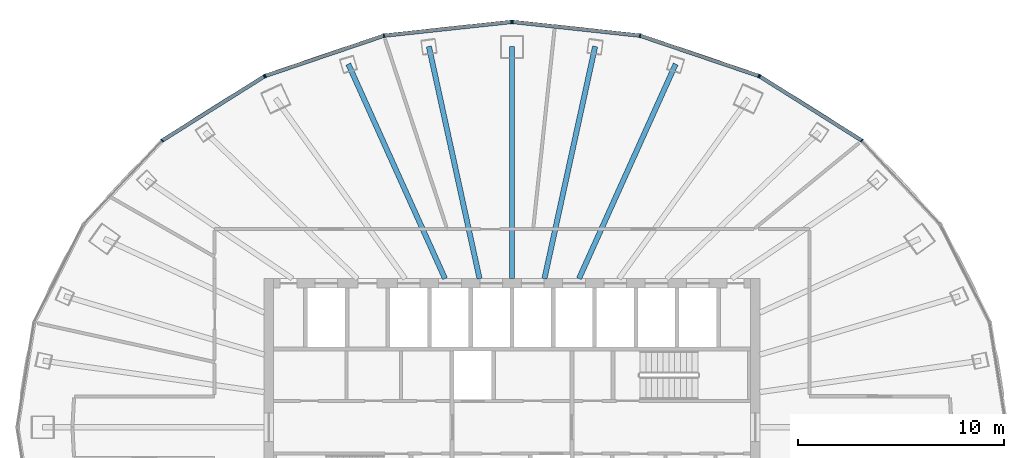
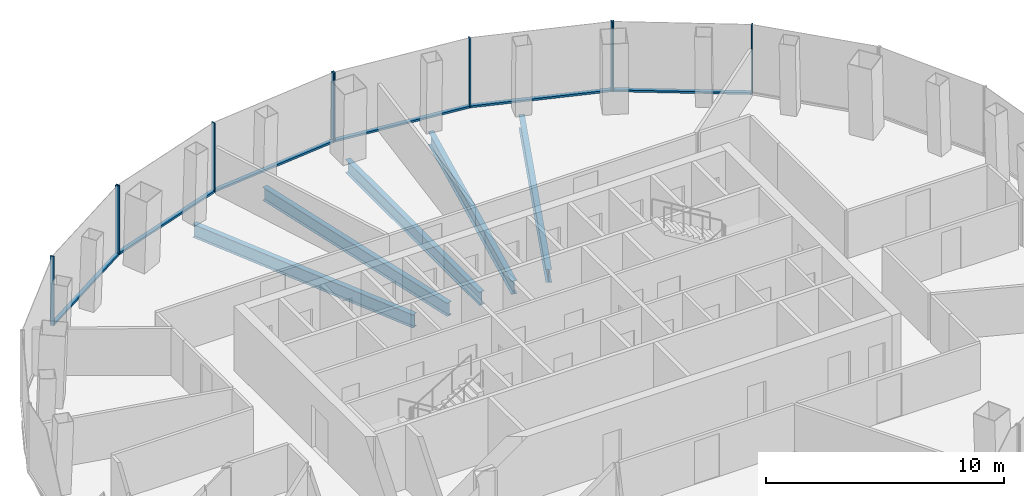
# One storey, part 5 of 10: 16 members, 5 beams, 4 elements without a shape of their own.
"""IFC4 building model written with IfcOpenShell, lengths in metres."""

import ifcopenshell
import ifcopenshell.guid

model = None  # the IFC model being written
_history = None  # IfcOwnerHistory: only IFC2X3 demands one
_inside = {}  # id of a spatial element -> (the spatial element, [elements in it])
_under = {}  # id of a project, library or spatial element -> (it, [spatial elements below it])
_declared = {}  # id of a project -> (the project, [libraries it declares])
_typed = {}  # id of a type object -> (the type object, [elements of that type])
_made_of = {}  # id of a material, layer set ... -> (it, [elements and type objects made of it])


def new_model(schema):
    """Start an empty IFC model of exactly this schema.

    Asked for "IFC4X3", IfcOpenShell would pick the latest addendum, in which some entities
    have other attributes; the version numbers below select the first issue.
    IFC2X3 requires an IfcOwnerHistory on every rooted entity: one is made here for all.
    """
    global model, _history
    if schema == "IFC4X3":
        model = ifcopenshell.file(schema_version=(4, 3, 0, 0))
    else:
        model = ifcopenshell.file(schema=schema)
    _inside.clear()
    _under.clear()
    _declared.clear()
    _typed.clear()
    _made_of.clear()
    _history = None
    if model.schema == "IFC2X3":
        org = make("IfcOrganization", Name="unknown")
        user = make(
            "IfcPersonAndOrganization",
            ThePerson=make("IfcPerson", FamilyName="unknown"),
            TheOrganization=org,
        )
        app = make(
            "IfcApplication",
            ApplicationDeveloper=org,
            Version="unknown",
            ApplicationFullName="unknown",
            ApplicationIdentifier="unknown",
        )
        _history = make(
            "IfcOwnerHistory",
            OwningUser=user,
            OwningApplication=app,
            ChangeAction="ADDED",
            CreationDate=0,
        )
    return model


def make(cls, **values):
    """One entity of the class cls with the attributes given. An attribute that is None is left unset."""
    return model.create_entity(
        cls, **{name: value for name, value in values.items() if value is not None}
    )


def rooted(cls, **values):
    """An entity with a GlobalId (a new one), such as an element, a storey or a relation."""
    return make(cls, GlobalId=ifcopenshell.guid.new(), OwnerHistory=_history, **values)


def si_unit(unit_type, name, prefix=None):
    """IfcSIUnit, for example si_unit("LENGTHUNIT", "METRE", prefix="MILLI")."""
    return make("IfcSIUnit", UnitType=unit_type, Prefix=prefix, Name=name)


def assignment(units):
    """IfcUnitAssignment: the units of a project."""
    return None if units is None else make("IfcUnitAssignment", Units=units)


def point(xyz):
    """IfcCartesianPoint."""
    return None if xyz is None else make("IfcCartesianPoint", Coordinates=xyz)


def direction(xyz):
    """IfcDirection."""
    return None if xyz is None else make("IfcDirection", DirectionRatios=xyz)


def frame(location, z_axis=None, x_axis=None):
    """IfcAxis2Placement3D, a coordinate frame: its origin and axes. An axis left out is left unset."""
    return make(
        "IfcAxis2Placement3D",
        Location=point(location),
        Axis=direction(z_axis),
        RefDirection=direction(x_axis),
    )


def frame_2d(location, x_axis=None):
    """IfcAxis2Placement2D, a coordinate frame in the plane: its origin and x axis."""
    return make(
        "IfcAxis2Placement2D", Location=point(location), RefDirection=direction(x_axis)
    )


def origin():
    """The frame at (0, 0, 0) with its axes left unset."""
    return frame((0.0, 0.0, 0.0))


def origin_2d():
    """The frame at (0, 0) in the plane with its x axis left unset."""
    return frame_2d((0.0, 0.0))


def place(relative_to, where):
    """IfcLocalPlacement: puts the frame where relative to a parent placement (None: the world)."""
    return make(
        "IfcLocalPlacement", PlacementRelTo=relative_to, RelativePlacement=where
    )


def context(
    kind, dimensions, precision=None, world=None, true_north=None, identifier=None
):
    """IfcGeometricRepresentationContext, for example the 3D "Model" context."""
    return make(
        "IfcGeometricRepresentationContext",
        ContextIdentifier=identifier,
        ContextType=kind,
        CoordinateSpaceDimension=dimensions,
        Precision=precision,
        WorldCoordinateSystem=world,
        TrueNorth=true_north,
    )


def subcontext(parent, identifier, kind, view, scale=None):
    """IfcGeometricRepresentationSubContext, for example "Body" below "Model"."""
    return make(
        "IfcGeometricRepresentationSubContext",
        ContextIdentifier=identifier,
        ContextType=kind,
        ParentContext=parent,
        TargetScale=scale,
        TargetView=view,
    )


def project(units=None, contexts=None):
    """IfcProject with its units and contexts."""
    return rooted(
        "IfcProject",
        Name="project",
        RepresentationContexts=contexts,
        UnitsInContext=assignment(units),
    )


def spatial(cls, under=None, at=None, **own):
    """A site, building, storey or space (cls), placed at a placement, below another one or the project."""
    s = rooted(cls, ObjectPlacement=at, **own)
    if under is not None:
        _under.setdefault(under.id(), (under, []))[1].append(s)
    return s


def profile(cls, at=None, kind="AREA", **sizes):
    """A parametric profile (cls). Its sizes go by their IFC names, for example OverallWidth=200.0."""
    return make(cls, ProfileType=kind, Position=at, **sizes)


def rectangle(**sizes):
    """IfcRectangleProfileDef."""
    return profile("IfcRectangleProfileDef", **sizes)


def i_section(**sizes):
    """IfcIShapeProfileDef."""
    return profile("IfcIShapeProfileDef", **sizes)


def extrude(swept, where, along, depth):
    """IfcExtrudedAreaSolid: the profile swept, set in the frame where, extruded along a direction by depth."""
    return make(
        "IfcExtrudedAreaSolid",
        SweptArea=swept,
        Position=where,
        ExtrudedDirection=direction(along),
        Depth=depth,
    )


def shape(context_of_items, identifier, shape_type, items):
    """IfcShapeRepresentation: the items that make up one representation, for example the "Body"."""
    return make(
        "IfcShapeRepresentation",
        ContextOfItems=context_of_items,
        RepresentationIdentifier=identifier,
        RepresentationType=shape_type,
        Items=items,
    )


def material(Name=None, Category=None):
    """IfcMaterial."""
    return make("IfcMaterial", Name=Name, Category=Category)


def layer(
    of_material, thickness, ventilated=None, Name=None, Category=None, Priority=None
):
    """IfcMaterialLayer: one layer of a wall or slab, of a material (None: an air gap)."""
    return make(
        "IfcMaterialLayer",
        Material=of_material,
        LayerThickness=thickness,
        IsVentilated=ventilated,
        Name=Name,
        Category=Category,
        Priority=Priority,
    )


def layer_set(layers, Name=None):
    """IfcMaterialLayerSet."""
    return make("IfcMaterialLayerSet", MaterialLayers=layers, LayerSetName=Name)


def material_profile(
    of_material, cross_section, Name=None, Category=None, Priority=None
):
    """IfcMaterialProfile: a cross section and its material."""
    return make(
        "IfcMaterialProfile",
        Name=Name,
        Material=of_material,
        Profile=cross_section,
        Priority=Priority,
        Category=Category,
    )


def profile_set(profiles, Name=None, composite=None):
    """IfcMaterialProfileSet."""
    return make(
        "IfcMaterialProfileSet",
        Name=Name,
        MaterialProfiles=profiles,
        CompositeProfile=composite,
    )


def made_of(thing, what):
    """Note that an element or type object is made of a material, layer set ...; save() writes the relation."""
    if what is not None:
        _made_of.setdefault(what.id(), (what, []))[1].append(thing)
    return thing


def type_object(cls, material=None, **own):
    """A type object (cls), such as IfcWallType, which elements share."""
    return made_of(rooted(cls, **own), material)


def element(
    cls,
    number,
    at=None,
    inside=None,
    cuts=None,
    type_object=None,
    material=None,
    context=None,
    identifier="Body",
    shape_type=None,
    held_by="IfcProductDefinitionShape",
    body=None,
    shapes=None,
    **own,
):
    """One element of the class cls, such as IfcWall. Its Tag is "e" and its number.

    at: its placement. inside: the storey or other place that contains it. cuts: it is an
    opening in that element (IfcRelVoidsElement). A single representation is given by context,
    identifier, shape_type and body (its items); several are given by shapes. held_by: the class
    of the entity that holds the representations. save() writes the other relations.
    """
    e = rooted(cls, Tag="e%d" % number, ObjectPlacement=at, **own)
    if body is not None:
        shapes = [shape(context, identifier, shape_type, body)]
    if shapes is not None:
        e.Representation = make(held_by, Representations=shapes)
    if inside is not None:
        _inside.setdefault(inside.id(), (inside, []))[1].append(e)
    if cuts is not None:
        rooted(
            "IfcRelVoidsElement", RelatingBuildingElement=cuts, RelatedOpeningElement=e
        )
    if type_object is not None:
        _typed.setdefault(type_object.id(), (type_object, []))[1].append(e)
    return made_of(e, material)


def aggregate(whole, parts):
    """IfcRelAggregates: a whole, such as a stair, and the parts it consists of."""
    return rooted("IfcRelAggregates", RelatingObject=whole, RelatedObjects=parts)


def save(model, path):
    """Write the relations noted so far, then the file.

    IfcRelAggregates (storeys below a building ...), IfcRelContainedInSpatialStructure (elements
    in a storey), IfcRelDefinesByType, IfcRelAssociatesMaterial and IfcRelDeclares: one each for
    every whole, place, type object, material and project.
    """
    for whole, parts in _under.values():
        aggregate(whole, parts)
    for where, things in _inside.values():
        rooted(
            "IfcRelContainedInSpatialStructure",
            RelatedElements=things,
            RelatingStructure=where,
        )
    for kind, things in _typed.values():
        rooted("IfcRelDefinesByType", RelatedObjects=things, RelatingType=kind)
    for what, things in _made_of.values():
        rooted("IfcRelAssociatesMaterial", RelatedObjects=things, RelatingMaterial=what)
    for by, libraries in _declared.values():
        rooted("IfcRelDeclares", RelatingContext=by, RelatedDefinitions=libraries)
    model.write(path)


model = new_model("IFC4")

# Units and contexts
model_context = context("Model", 3, precision=1e-05, world=origin(), true_north=direction((0.0, 1.0)))
body_context = subcontext(model_context, "Body", "Model", "MODEL_VIEW")
ifc_project = project(units=[si_unit("LENGTHUNIT", "METRE"), si_unit("AREAUNIT", "SQUARE_METRE"), si_unit("VOLUMEUNIT", "CUBIC_METRE"), si_unit("PLANEANGLEUNIT", "RADIAN"), si_unit("MASSUNIT", "GRAM", prefix="KILO")], contexts=[model_context])

# Site, building, storey
site_placement = place(None, origin())
site = spatial("IfcSite", under=ifc_project, at=site_placement, CompositionType="ELEMENT")
building_placement = place(site_placement, origin())
building = spatial("IfcBuilding", under=site, at=building_placement, Name="Siaravel Broadcast Tower", CompositionType="ELEMENT")
storey_placement = place(building_placement, frame((0.0, 0.0, 164.5)))
storey = spatial("IfcBuildingStorey", under=building, at=storey_placement, Name="L39", CompositionType="ELEMENT", Elevation=164.5)

# Beams
ifc_material_1 = material(Name="Steel S355", Category="steel")
ifc_material_profile_1 = material_profile(ifc_material_1, i_section(OverallWidth=0.2529296875, OverallDepth=0.677978515625, WebThickness=0.01171875, FlangeThickness=0.01611328125, FilletRadius=0.01513671875, at=origin_2d()))
ifc_profile_set_1 = profile_set([ifc_material_profile_1], Name="Steel S355")
beam_type = type_object("IfcBeamType", Name="BM-UB 686x254x125", PredefinedType="BEAM", material=ifc_profile_set_1)
beam_1_placement = place(storey_placement, frame((7.92822265625, 17.590087890625, -0.489013671875), z_axis=(-0.41091507, -0.911673629, 0.0), x_axis=(0.911673629, -0.41091507, 0.0)))
element("IfcBeam", 1, at=beam_1_placement, inside=storey, type_object=beam_type, Name="Radial beam RB08", PredefinedType="BEAM", context=body_context, shape_type="SweptSolid", body=[
    extrude(i_section(OverallWidth=0.2529296875, OverallDepth=0.677978515625, WebThickness=0.01171875, FlangeThickness=0.01611328125, FilletRadius=0.01513671875, at=origin_2d()), origin(), (0.0, 0.0, 1.0), 11.396728515625),
])
beam_2_placement = place(storey_placement, frame((4.02685546875, 18.4462890625, -0.489013671875), z_axis=(-0.213277502, -0.976991662, 0.0), x_axis=(0.976991662, -0.213277502, 0.0)))
element("IfcBeam", 2, at=beam_2_placement, inside=storey, type_object=beam_type, Name="Radial beam RB09", PredefinedType="BEAM", context=body_context, shape_type="SweptSolid", body=[
    extrude(i_section(OverallWidth=0.2529296875, OverallDepth=0.677978515625, WebThickness=0.01171875, FlangeThickness=0.01611328125, FilletRadius=0.01513671875, at=origin_2d()), origin(), (0.0, 0.0, 1.0), 11.51123046875),
])
beam_3_placement = place(storey_placement, frame((0.0, 18.434814453125, -0.489013671875), z_axis=(0.0, -1.0, 0.0), x_axis=(1.0, 0.0, 0.0)))
element("IfcBeam", 3, at=beam_3_placement, inside=storey, type_object=beam_type, Name="Radial beam RB10", PredefinedType="BEAM", context=body_context, shape_type="SweptSolid", body=[
    extrude(i_section(OverallWidth=0.2529296875, OverallDepth=0.677978515625, WebThickness=0.01171875, FlangeThickness=0.01611328125, FilletRadius=0.01513671875, at=origin_2d()), origin(), (0.0, 0.0, 1.0), 11.23486328125),
])
beam_4_placement = place(storey_placement, frame((-4.02685546875, 18.4462890625, -0.489013671875), z_axis=(0.213277502, -0.976991662, 0.0), x_axis=(0.976991662, 0.213277502, 0.0)))
element("IfcBeam", 4, at=beam_4_placement, inside=storey, type_object=beam_type, Name="Radial beam RB11", PredefinedType="BEAM", context=body_context, shape_type="SweptSolid", body=[
    extrude(i_section(OverallWidth=0.2529296875, OverallDepth=0.677978515625, WebThickness=0.01171875, FlangeThickness=0.01611328125, FilletRadius=0.01513671875, at=origin_2d()), origin(), (0.0, 0.0, 1.0), 11.51123046875),
])
beam_5_placement = place(storey_placement, frame((-7.92822265625, 17.590087890625, -0.489013671875), z_axis=(0.41091507, -0.911673629, 0.0), x_axis=(0.911673629, 0.41091507, 0.0)))
element("IfcBeam", 5, at=beam_5_placement, inside=storey, type_object=beam_type, Name="Radial beam RB12", PredefinedType="BEAM", context=body_context, shape_type="SweptSolid", body=[
    extrude(i_section(OverallWidth=0.2529296875, OverallDepth=0.677978515625, WebThickness=0.01171875, FlangeThickness=0.01611328125, FilletRadius=0.01513671875, at=origin_2d()), origin(), (0.0, 0.0, 1.0), 11.396728515625),
])

# Curtain wall, members
ifc_material_2 = material(Name="Aluminium 6063-T6", Category="aluminium")
ifc_layer = layer(ifc_material_2, 0.179931640625)
ifc_layer_set = layer_set([ifc_layer], Name="Aluminium 6063-T6")
curtain_wall_type = type_object("IfcCurtainWallType", Name="Unitised curtain wall, zone 3", PredefinedType="NOTDEFINED", material=ifc_layer_set)
curtain_wall_1_placement = place(storey_placement, origin())
curtain_wall_1 = element("IfcCurtainWall", 6, at=curtain_wall_1_placement, inside=storey, type_object=curtain_wall_type, Name="L39 Unitised curtain wall, zone 3 02", PredefinedType="NOTDEFINED")
ifc_material_profile_2 = material_profile(ifc_material_2, rectangle(XDim=0.179931640625, YDim=0.06005859375, at=origin_2d()))
ifc_profile_set_2 = profile_set([ifc_material_profile_2], Name="Aluminium 6063-T6")
member_type_1 = type_object("IfcMemberType", Name="CW-Z3 mullion", PredefinedType="MULLION", material=ifc_profile_set_2)
member_1_placement = place(storey_placement, frame((16.940673828125, 13.888916015625, 0.0), z_axis=(0.0, 0.0, 1.0), x_axis=(-0.63621963, -0.771507993, 0.0)))
member_1 = element("IfcMember", 7, at=member_1_placement, type_object=member_type_1, Name="CW-Z3 mullion 2", PredefinedType="MULLION", context=body_context, shape_type="SweptSolid", body=[
    extrude(rectangle(XDim=0.179931640625, YDim=0.06005859375, at=origin_2d()), origin(), (0.0, 0.0, 1.0), 3.550048828125),
])
member_2_placement = place(storey_placement, frame((12.003173828125, 16.9921875, 0.0), z_axis=(0.0, 0.0, 1.0), x_axis=(-0.532150259, -0.846649928, 0.0)))
member_2 = element("IfcMember", 8, at=member_2_placement, type_object=member_type_1, Name="CW-Z3 mullion 3", PredefinedType="MULLION", context=body_context, shape_type="SweptSolid", body=[
    extrude(rectangle(XDim=0.179931640625, YDim=0.06005859375, at=origin_2d()), origin(), (0.0, 0.0, 1.0), 3.550048828125),
])

curtain_wall_2_placement = place(storey_placement, origin())
curtain_wall_2 = element("IfcCurtainWall", 9, at=curtain_wall_2_placement, inside=storey, type_object=curtain_wall_type, Name="L39 Unitised curtain wall, zone 3 03", PredefinedType="NOTDEFINED")
member_3_placement = place(storey_placement, frame((11.949462890625, 17.017822265625, 0.0), z_axis=(0.0, 0.0, 1.0), x_axis=(-0.321301405, -0.946976983, 0.0)))
member_3 = element("IfcMember", 10, at=member_3_placement, type_object=member_type_1, Name="CW-Z3 mullion 1", PredefinedType="MULLION", context=body_context, shape_type="SweptSolid", body=[
    extrude(rectangle(XDim=0.179931640625, YDim=0.06005859375, at=origin_2d()), origin(), (0.0, 0.0, 1.0), 3.550048828125),
])
member_4_placement = place(storey_placement, frame((6.19970703125, 18.96875, 0.0), z_axis=(0.0, 0.0, 1.0), x_axis=(-0.215558612, -0.976490903, 0.0)))
member_4 = element("IfcMember", 11, at=member_4_placement, type_object=member_type_1, Name="CW-Z3 mullion 2", PredefinedType="MULLION", context=body_context, shape_type="SweptSolid", body=[
    extrude(rectangle(XDim=0.179931640625, YDim=0.06005859375, at=origin_2d()), origin(), (0.0, 0.0, 1.0), 3.550048828125),
])
member_5_placement = place(storey_placement, frame((0.02978515625, 19.634033203125, 0.0), z_axis=(0.0, 0.0, 1.0), x_axis=(-0.107217776, -0.99423556, 0.0)))
member_5 = element("IfcMember", 12, at=member_5_placement, type_object=member_type_1, Name="CW-Z3 mullion 3", PredefinedType="MULLION", context=body_context, shape_type="SweptSolid", body=[
    extrude(rectangle(XDim=0.179931640625, YDim=0.06005859375, at=origin_2d()), origin(), (0.0, 0.0, 1.0), 3.550048828125),
])

curtain_wall_3_placement = place(storey_placement, origin())
curtain_wall_3 = element("IfcCurtainWall", 13, at=curtain_wall_3_placement, inside=storey, type_object=curtain_wall_type, Name="L39 Unitised curtain wall, zone 3 04", PredefinedType="NOTDEFINED")
member_6_placement = place(storey_placement, frame((-0.02978515625, 19.634033203125, 0.0), z_axis=(0.0, 0.0, 1.0), x_axis=(0.107217776, -0.99423556, 0.0)))
member_6 = element("IfcMember", 14, at=member_6_placement, type_object=member_type_1, Name="CW-Z3 mullion 1", PredefinedType="MULLION", context=body_context, shape_type="SweptSolid", body=[
    extrude(rectangle(XDim=0.179931640625, YDim=0.06005859375, at=origin_2d()), origin(), (0.0, 0.0, 1.0), 3.550048828125),
])
member_7_placement = place(storey_placement, frame((-6.19970703125, 18.96875, 0.0), z_axis=(0.0, 0.0, 1.0), x_axis=(0.215558612, -0.976490903, 0.0)))
member_7 = element("IfcMember", 15, at=member_7_placement, type_object=member_type_1, Name="CW-Z3 mullion 2", PredefinedType="MULLION", context=body_context, shape_type="SweptSolid", body=[
    extrude(rectangle(XDim=0.179931640625, YDim=0.06005859375, at=origin_2d()), origin(), (0.0, 0.0, 1.0), 3.550048828125),
])
member_8_placement = place(storey_placement, frame((-11.949462890625, 17.017822265625, 0.0), z_axis=(0.0, 0.0, 1.0), x_axis=(0.321301405, -0.946976983, 0.0)))
member_8 = element("IfcMember", 16, at=member_8_placement, type_object=member_type_1, Name="CW-Z3 mullion 3", PredefinedType="MULLION", context=body_context, shape_type="SweptSolid", body=[
    extrude(rectangle(XDim=0.179931640625, YDim=0.06005859375, at=origin_2d()), origin(), (0.0, 0.0, 1.0), 3.550048828125),
])

curtain_wall_4_placement = place(storey_placement, origin())
curtain_wall_4 = element("IfcCurtainWall", 17, at=curtain_wall_4_placement, inside=storey, type_object=curtain_wall_type, Name="L39 Unitised curtain wall, zone 3 05", PredefinedType="NOTDEFINED")
member_9_placement = place(storey_placement, frame((-12.003173828125, 16.9921875, 0.0), z_axis=(0.0, 0.0, 1.0), x_axis=(0.532150259, -0.846649928, 0.0)))
member_9 = element("IfcMember", 18, at=member_9_placement, type_object=member_type_1, Name="CW-Z3 mullion 1", PredefinedType="MULLION", context=body_context, shape_type="SweptSolid", body=[
    extrude(rectangle(XDim=0.179931640625, YDim=0.06005859375, at=origin_2d()), origin(), (0.0, 0.0, 1.0), 3.550048828125),
])
member_10_placement = place(storey_placement, frame((-16.940673828125, 13.888916015625, 0.0), z_axis=(0.0, 0.0, 1.0), x_axis=(0.63621963, -0.771507993, 0.0)))
member_10 = element("IfcMember", 19, at=member_10_placement, type_object=member_type_1, Name="CW-Z3 mullion 2", PredefinedType="MULLION", context=body_context, shape_type="SweptSolid", body=[
    extrude(rectangle(XDim=0.179931640625, YDim=0.06005859375, at=origin_2d()), origin(), (0.0, 0.0, 1.0), 3.550048828125),
])

# Member
ifc_material_profile_3 = material_profile(ifc_material_2, rectangle(XDim=0.179931640625, YDim=0.10009765625, at=origin_2d()))
ifc_profile_set_3 = profile_set([ifc_material_profile_3], Name="Aluminium 6063-T6")
member_type_2 = type_object("IfcMemberType", Name="CW-Z3 transom", PredefinedType="USERDEFINED", material=ifc_profile_set_3)
member_11_placement = place(storey_placement, frame((16.915283203125, 13.905029296875, 0.050048828125), z_axis=(-0.846664863, 0.532126498, 0.0), x_axis=(-0.532126498, -0.846664863, 0.0)))
member_11 = element("IfcMember", 20, at=member_11_placement, type_object=member_type_2, Name="CW-Z3 transom 2", ObjectType="TRANSOM", PredefinedType="USERDEFINED", context=body_context, shape_type="SweptSolid", body=[
    extrude(rectangle(XDim=0.179931640625, YDim=0.10009765625, at=origin_2d()), origin(), (0.0, 0.0, 1.0), 5.771728515625),
])

aggregate(curtain_wall_1, [member_1, member_2, member_11])

member_12_placement = place(storey_placement, frame((11.9208984375, 17.027587890625, 0.050048828125), z_axis=(-0.946980245, 0.321291792, 0.0), x_axis=(-0.321291792, -0.946980245, 0.0)))
member_12 = element("IfcMember", 21, at=member_12_placement, type_object=member_type_2, Name="CW-Z3 transom 1", ObjectType="TRANSOM", PredefinedType="USERDEFINED", context=body_context, shape_type="SweptSolid", body=[
    extrude(rectangle(XDim=0.179931640625, YDim=0.10009765625, at=origin_2d()), origin(), (0.0, 0.0, 1.0), 6.01123046875),
])

member_13_placement = place(storey_placement, frame((6.169921875, 18.971923828125, 0.050048828125), z_axis=(-0.994235123, 0.107221824, 0.0), x_axis=(-0.107221824, -0.994235123, 0.0)))
member_13 = element("IfcMember", 22, at=member_13_placement, type_object=member_type_2, Name="CW-Z3 transom 2", ObjectType="TRANSOM", PredefinedType="USERDEFINED", context=body_context, shape_type="SweptSolid", body=[
    extrude(rectangle(XDim=0.179931640625, YDim=0.10009765625, at=origin_2d()), origin(), (0.0, 0.0, 1.0), 6.1455078125),
])

aggregate(curtain_wall_2, [member_3, member_4, member_5, member_12, member_13])

member_14_placement = place(storey_placement, frame((-0.059814453125, 19.630859375, 0.050048828125), z_axis=(-0.994235123, -0.107221824, 0.0), x_axis=(0.107221824, -0.994235123, 0.0)))
member_14 = element("IfcMember", 23, at=member_14_placement, type_object=member_type_2, Name="CW-Z3 transom 1", ObjectType="TRANSOM", PredefinedType="USERDEFINED", context=body_context, shape_type="SweptSolid", body=[
    extrude(rectangle(XDim=0.179931640625, YDim=0.10009765625, at=origin_2d()), origin(), (0.0, 0.0, 1.0), 6.1455078125),
])

member_15_placement = place(storey_placement, frame((-6.228271484375, 18.958984375, 0.050048828125), z_axis=(-0.946980245, -0.321291792, 0.0), x_axis=(0.321291792, -0.946980245, 0.0)))
member_15 = element("IfcMember", 24, at=member_15_placement, type_object=member_type_2, Name="CW-Z3 transom 2", ObjectType="TRANSOM", PredefinedType="USERDEFINED", context=body_context, shape_type="SweptSolid", body=[
    extrude(rectangle(XDim=0.179931640625, YDim=0.10009765625, at=origin_2d()), origin(), (0.0, 0.0, 1.0), 6.01123046875),
])

aggregate(curtain_wall_3, [member_6, member_7, member_8, member_14, member_15])

member_16_placement = place(storey_placement, frame((-12.028564453125, 16.976318359375, 0.050048828125), z_axis=(-0.846664863, -0.532126498, 0.0), x_axis=(0.532126498, -0.846664863, 0.0)))
member_16 = element("IfcMember", 25, at=member_16_placement, type_object=member_type_2, Name="CW-Z3 transom 1", ObjectType="TRANSOM", PredefinedType="USERDEFINED", context=body_context, shape_type="SweptSolid", body=[
    extrude(rectangle(XDim=0.179931640625, YDim=0.10009765625, at=origin_2d()), origin(), (0.0, 0.0, 1.0), 5.771728515625),
])

aggregate(curtain_wall_4, [member_9, member_10, member_16])

save(model, "model.ifc")
